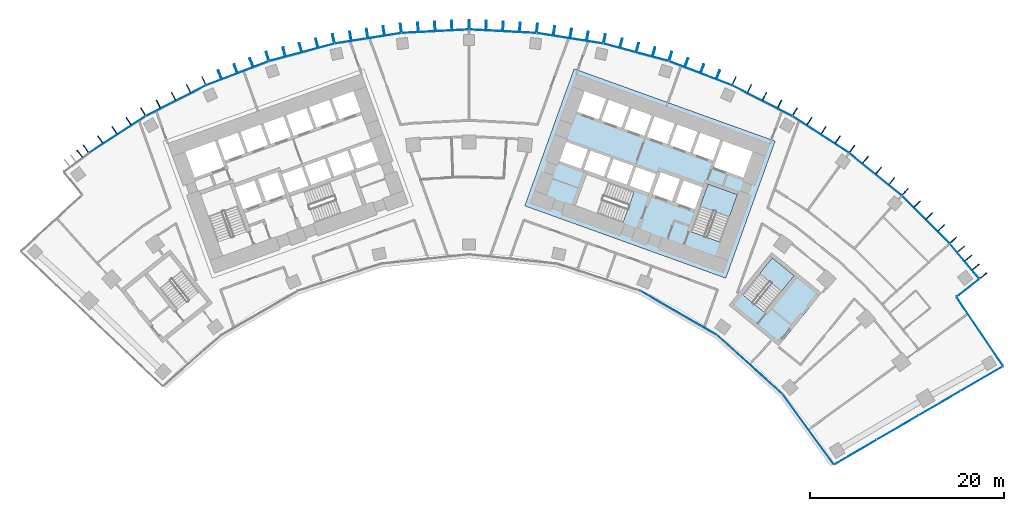
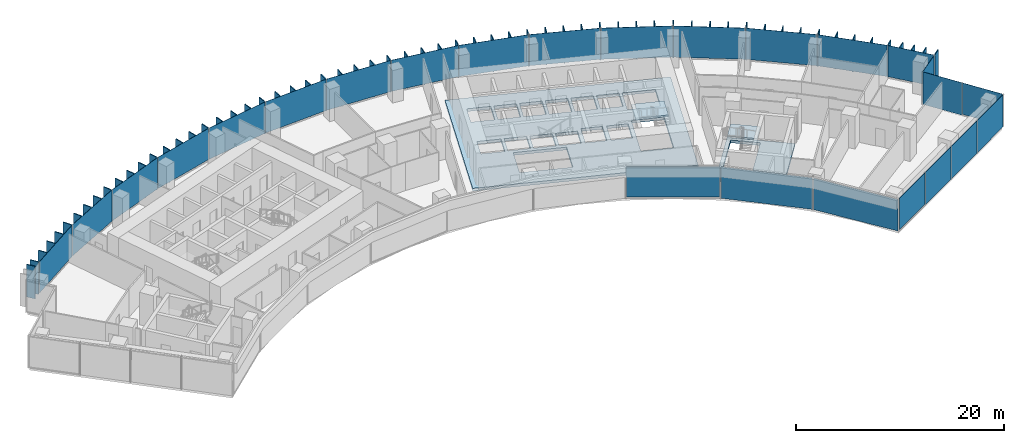
# One storey, part 14 of 22: 87 plates, 4 slabs, 7 elements without a shape of their own.
"""IFC4 building model written with IfcOpenShell, lengths in metres."""

from ifc_helpers import new_model, si_unit, direction, frame, origin, origin_2d, place, context, subcontext, project, spatial, polyline, rectangle, outline, extrude, material, layer, layer_set, type_object, element, aggregate, save


model = new_model("IFC4")

# Units and contexts
model_context = context("Model", 3, precision=1e-05, world=origin(), true_north=direction((0.0, 1.0)))
body_context = subcontext(model_context, "Body", "Model", "MODEL_VIEW")
ifc_project = project(units=[si_unit("LENGTHUNIT", "METRE"), si_unit("AREAUNIT", "SQUARE_METRE"), si_unit("VOLUMEUNIT", "CUBIC_METRE"), si_unit("PLANEANGLEUNIT", "RADIAN"), si_unit("MASSUNIT", "GRAM", prefix="KILO")], contexts=[model_context])

# Site, building, storey
site_placement = place(None, origin())
site = spatial("IfcSite", under=ifc_project, at=site_placement, CompositionType="ELEMENT")
building_placement = place(site_placement, origin())
building = spatial("IfcBuilding", under=site, at=building_placement, Name="Stone Belt Terrace Tower", CompositionType="ELEMENT")
storey_placement = place(building_placement, frame((0.0, 0.0, 132.60009765625)))
storey = spatial("IfcBuildingStorey", under=building, at=storey_placement, Name="L32", CompositionType="ELEMENT", Elevation=132.60009765625)

# Curtain wall, plates
ifc_material_1 = material(Name="Aluminium 6063-T6 anodised frame", Category="aluminium")
ifc_layer_1 = layer(ifc_material_1, 0.14990234375)
ifc_layer_set_1 = layer_set([ifc_layer_1], Name="CW-A unitised convex-face curtain wall")
curtain_wall_type_1 = type_object("IfcCurtainWallType", Name="CW-A unitised convex-face curtain wall", PredefinedType="NOTDEFINED", material=ifc_layer_set_1)
curtain_wall_1_placement = place(storey_placement, origin())
curtain_wall_1 = element("IfcCurtainWall", 1, at=curtain_wall_1_placement, inside=storey, type_object=curtain_wall_type_1, Name="CW-A convex face L32", PredefinedType="NOTDEFINED")
ifc_material_2 = material(Name="Clear double glazed unit")
ifc_layer_2 = layer(ifc_material_2, 0.031982421875)
ifc_layer_set_2 = layer_set([ifc_layer_2], Name="CW-A glass panel 32")
plate_type_1 = type_object("IfcPlateType", Name="CW-A glass panel 32", PredefinedType="CURTAIN_PANEL", material=ifc_layer_set_2)
plate_1_placement = place(storey_placement, frame((50.993896484375, 42.73583984375, 0.14013671875), z_axis=(0.0, 0.0, 1.0), x_axis=(-0.642509184121, 0.766277983711, 0.0)))
plate_1 = element("IfcPlate", 2, at=plate_1_placement, type_object=plate_type_1, Name="CW-A panel 1.1", PredefinedType="CURTAIN_PANEL", context=body_context, shape_type="SweptSolid", body=[
    extrude(rectangle(XDim=4.662841796875, YDim=0.031982421875, at=origin_2d()), origin(), (0.0, 0.0, 1.0), 3.659912109375),
])
plate_2_placement = place(storey_placement, frame((47.01123046875, 47.01123046875, 0.14013671875), z_axis=(0.0, 0.0, 1.0), x_axis=(-0.707106781187, 0.707106781187, 0.0)))
plate_2 = element("IfcPlate", 3, at=plate_2_placement, type_object=plate_type_1, Name="CW-A panel 2.1", PredefinedType="CURTAIN_PANEL", context=body_context, shape_type="SweptSolid", body=[
    extrude(rectangle(XDim=6.90087890625, YDim=0.031982421875, at=origin_2d()), origin(), (0.0, 0.0, 1.0), 3.659912109375),
])
plate_3_placement = place(storey_placement, frame((41.839599609375, 51.667724609375, 0.14013671875), z_axis=(0.0, 0.0, 1.0), x_axis=(-0.777145961457, 0.62932039105, 0.0)))
plate_3 = element("IfcPlate", 4, at=plate_3_placement, type_object=plate_type_1, Name="CW-A panel 3.1", PredefinedType="CURTAIN_PANEL", context=body_context, shape_type="SweptSolid", body=[
    extrude(rectangle(XDim=6.90087890625, YDim=0.031982421875, at=origin_2d()), origin(), (0.0, 0.0, 1.0), 3.659912109375),
])
plate_4_placement = place(storey_placement, frame((36.209716796875, 55.758056640625, 0.14013671875), z_axis=(0.0, 0.0, 1.0), x_axis=(-0.838670567945, 0.544639035015, 0.0)))
plate_4 = element("IfcPlate", 5, at=plate_4_placement, type_object=plate_type_1, Name="CW-A panel 4.1", PredefinedType="CURTAIN_PANEL", context=body_context, shape_type="SweptSolid", body=[
    extrude(rectangle(XDim=6.90087890625, YDim=0.031982421875, at=origin_2d()), origin(), (0.0, 0.0, 1.0), 3.659912109375),
])
plate_5_placement = place(storey_placement, frame((30.18310546875, 59.237548828125, 0.14013671875), z_axis=(0.0, 0.0, 1.0), x_axis=(-0.891006524188, 0.45399049974, 0.0)))
plate_5 = element("IfcPlate", 6, at=plate_5_placement, type_object=plate_type_1, Name="CW-A panel 5.1", PredefinedType="CURTAIN_PANEL", context=body_context, shape_type="SweptSolid", body=[
    extrude(rectangle(XDim=6.90087890625, YDim=0.031982421875, at=origin_2d()), origin(), (0.0, 0.0, 1.0), 3.659912109375),
])
plate_6_placement = place(storey_placement, frame((23.82568359375, 62.068115234375, 0.14013671875), z_axis=(0.0, 0.0, 1.0), x_axis=(-0.933580426497, 0.358367949545, 0.0)))
plate_6 = element("IfcPlate", 7, at=plate_6_placement, type_object=plate_type_1, Name="CW-A panel 6.1", PredefinedType="CURTAIN_PANEL", context=body_context, shape_type="SweptSolid", body=[
    extrude(rectangle(XDim=6.90087890625, YDim=0.031982421875, at=origin_2d()), origin(), (0.0, 0.0, 1.0), 3.659912109375),
])
plate_7_placement = place(storey_placement, frame((17.207275390625, 64.218505859375, 0.14013671875), z_axis=(0.0, 0.0, 1.0), x_axis=(-0.965925826289, 0.258819045103, 0.0)))
plate_7 = element("IfcPlate", 8, at=plate_7_placement, type_object=plate_type_1, Name="CW-A panel 7.1", PredefinedType="CURTAIN_PANEL", context=body_context, shape_type="SweptSolid", body=[
    extrude(rectangle(XDim=6.90087890625, YDim=0.031982421875, at=origin_2d()), origin(), (0.0, 0.0, 1.0), 3.659912109375),
])
plate_8_placement = place(storey_placement, frame((10.400390625, 65.665283203125, 0.14013671875), z_axis=(0.0, 0.0, 1.0), x_axis=(-0.987688340595, 0.15643446504, 0.0)))
plate_8 = element("IfcPlate", 9, at=plate_8_placement, type_object=plate_type_1, Name="CW-A panel 8.1", PredefinedType="CURTAIN_PANEL", context=body_context, shape_type="SweptSolid", body=[
    extrude(rectangle(XDim=6.90087890625, YDim=0.031982421875, at=origin_2d()), origin(), (0.0, 0.0, 1.0), 3.659912109375),
])
plate_9_placement = place(storey_placement, frame((3.4794921875, 66.392822265625, 0.14013671875), z_axis=(0.0, 0.0, 1.0), x_axis=(-0.998629534755, 0.052335956243, 0.0)))
plate_9 = element("IfcPlate", 10, at=plate_9_placement, type_object=plate_type_1, Name="CW-A panel 9.1", PredefinedType="CURTAIN_PANEL", context=body_context, shape_type="SweptSolid", body=[
    extrude(rectangle(XDim=6.90087890625, YDim=0.031982421875, at=origin_2d()), origin(), (0.0, 0.0, 1.0), 3.659912109375),
])
plate_10_placement = place(storey_placement, frame((-3.4794921875, 66.392822265625, 0.14013671875), z_axis=(0.0, 0.0, 1.0), x_axis=(-0.998629534755, -0.052335956243, 0.0)))
plate_10 = element("IfcPlate", 11, at=plate_10_placement, type_object=plate_type_1, Name="CW-A panel 10.1", PredefinedType="CURTAIN_PANEL", context=body_context, shape_type="SweptSolid", body=[
    extrude(rectangle(XDim=6.90087890625, YDim=0.031982421875, at=origin_2d()), origin(), (0.0, 0.0, 1.0), 3.659912109375),
])
plate_11_placement = place(storey_placement, frame((-10.400390625, 65.665283203125, 0.14013671875), z_axis=(0.0, 0.0, 1.0), x_axis=(-0.987688340595, -0.15643446504, 0.0)))
plate_11 = element("IfcPlate", 12, at=plate_11_placement, type_object=plate_type_1, Name="CW-A panel 11.1", PredefinedType="CURTAIN_PANEL", context=body_context, shape_type="SweptSolid", body=[
    extrude(rectangle(XDim=6.90087890625, YDim=0.031982421875, at=origin_2d()), origin(), (0.0, 0.0, 1.0), 3.659912109375),
])
plate_12_placement = place(storey_placement, frame((-17.207275390625, 64.218505859375, 0.14013671875), z_axis=(0.0, 0.0, 1.0), x_axis=(-0.965925826289, -0.258819045103, 0.0)))
plate_12 = element("IfcPlate", 13, at=plate_12_placement, type_object=plate_type_1, Name="CW-A panel 12.1", PredefinedType="CURTAIN_PANEL", context=body_context, shape_type="SweptSolid", body=[
    extrude(rectangle(XDim=6.90087890625, YDim=0.031982421875, at=origin_2d()), origin(), (0.0, 0.0, 1.0), 3.659912109375),
])
plate_13_placement = place(storey_placement, frame((-23.82568359375, 62.068115234375, 0.14013671875), z_axis=(0.0, 0.0, 1.0), x_axis=(-0.933580426497, -0.358367949545, 0.0)))
plate_13 = element("IfcPlate", 14, at=plate_13_placement, type_object=plate_type_1, Name="CW-A panel 13.1", PredefinedType="CURTAIN_PANEL", context=body_context, shape_type="SweptSolid", body=[
    extrude(rectangle(XDim=6.90087890625, YDim=0.031982421875, at=origin_2d()), origin(), (0.0, 0.0, 1.0), 3.659912109375),
])
plate_14_placement = place(storey_placement, frame((-30.18310546875, 59.237548828125, 0.14013671875), z_axis=(0.0, 0.0, 1.0), x_axis=(-0.891006524188, -0.45399049974, 0.0)))
plate_14 = element("IfcPlate", 15, at=plate_14_placement, type_object=plate_type_1, Name="CW-A panel 14.1", PredefinedType="CURTAIN_PANEL", context=body_context, shape_type="SweptSolid", body=[
    extrude(rectangle(XDim=6.90087890625, YDim=0.031982421875, at=origin_2d()), origin(), (0.0, 0.0, 1.0), 3.659912109375),
])
plate_15_placement = place(storey_placement, frame((-36.209716796875, 55.758056640625, 0.14013671875), z_axis=(0.0, 0.0, 1.0), x_axis=(-0.838670567945, -0.544639035015, 0.0)))
plate_15 = element("IfcPlate", 16, at=plate_15_placement, type_object=plate_type_1, Name="CW-A panel 15.1", PredefinedType="CURTAIN_PANEL", context=body_context, shape_type="SweptSolid", body=[
    extrude(rectangle(XDim=6.900634765625, YDim=0.031982421875, at=origin_2d()), origin(), (0.0, 0.0, 1.0), 3.659912109375),
])
aggregate(curtain_wall_1, [plate_1, plate_2, plate_3, plate_4, plate_5, plate_6, plate_7, plate_8, plate_9, plate_10, plate_11, plate_12, plate_13, plate_14, plate_15])

ifc_layer_3 = layer(ifc_material_1, 0.14990234375)
ifc_layer_set_3 = layer_set([ifc_layer_3], Name="CW-B unitised concave-face curtain wall")
curtain_wall_type_2 = type_object("IfcCurtainWallType", Name="CW-B unitised concave-face curtain wall", PredefinedType="NOTDEFINED", material=ifc_layer_set_3)
curtain_wall_2_placement = place(storey_placement, origin())
curtain_wall_2 = element("IfcCurtainWall", 17, at=curtain_wall_2_placement, inside=storey, type_object=curtain_wall_type_2, Name="CW-B concave face L32", PredefinedType="NOTDEFINED")
ifc_layer_4 = layer(ifc_material_2, 0.030029296875)
ifc_layer_set_4 = layer_set([ifc_layer_4], Name="CW-B glass panel 30")
plate_type_2 = type_object("IfcPlateType", Name="CW-B glass panel 30", PredefinedType="CURTAIN_PANEL", material=ifc_layer_set_4)
plate_16_placement = place(storey_placement, frame((21.59326171875, 37.40087890625, 0.119873046875), z_axis=(0.0, 0.0, 1.0), x_axis=(0.866025403784, -0.5, 0.0)))
plate_16 = element("IfcPlate", 18, at=plate_16_placement, type_object=plate_type_2, Name="CW-B panel 7.1", PredefinedType="CURTAIN_PANEL", context=body_context, shape_type="SweptSolid", body=[
    extrude(rectangle(XDim=9.0126953125, YDim=0.030029296875, at=origin_2d()), origin(), (0.0, 0.0, 1.0), 3.56005859375),
])
plate_17_placement = place(storey_placement, frame((28.897705078125, 32.093994140625, 0.0), z_axis=(0.0, 0.0, 1.0), x_axis=(0.743144825477, -0.669130606359, 0.0)))
plate_17 = element("IfcPlate", 19, at=plate_17_placement, type_object=plate_type_2, Name="CW-B panel 8.1", PredefinedType="CURTAIN_PANEL", context=body_context, shape_type="SweptSolid", body=[
    extrude(rectangle(XDim=9.012939453125, YDim=0.030029296875, at=origin_2d()), origin(), (0.0, 0.0, 1.0), 3.679931640625),
])
plate_18_placement = place(storey_placement, frame((34.91162109375, 25.435546875, 0.0), z_axis=(0.0, 0.0, 1.0), x_axis=(0.589224850374, -0.80796910566, 0.0)))
plate_18 = element("IfcPlate", 20, at=plate_18_placement, type_object=plate_type_2, Name="CW-B panel 9.1", PredefinedType="CURTAIN_PANEL", context=body_context, shape_type="SweptSolid", body=[
    extrude(rectangle(XDim=8.898193359375, YDim=0.030029296875, at=origin_2d()), origin(), (0.0, 0.0, 1.0), 3.679931640625),
])
aggregate(curtain_wall_2, [plate_16, plate_17, plate_18])

ifc_layer_5 = layer(ifc_material_1, 0.14990234375)
ifc_layer_set_5 = layer_set([ifc_layer_5], Name="CW-C stick curtain wall, horn ends and notches")
curtain_wall_type_3 = type_object("IfcCurtainWallType", Name="CW-C stick curtain wall, horn ends and notches", PredefinedType="NOTDEFINED", material=ifc_layer_set_5)
curtain_wall_3_placement = place(storey_placement, origin())
curtain_wall_3 = element("IfcCurtainWall", 21, at=curtain_wall_3_placement, inside=storey, type_object=curtain_wall_type_3, Name="CW-C end face L32", PredefinedType="NOTDEFINED")
ifc_layer_6 = layer(ifc_material_2, 0.028076171875)
ifc_layer_set_6 = layer_set([ifc_layer_6], Name="CW-C glass panel 28")
plate_type_3 = type_object("IfcPlateType", Name="CW-C glass panel 28", PredefinedType="CURTAIN_PANEL", material=ifc_layer_set_6)
plate_19_placement = place(storey_placement, frame((39.781982421875, 23.070556640625, 0.1201171875), z_axis=(0.0, 0.0, 1.0), x_axis=(0.864239322284, 0.503080901861, 0.0)))
plate_19 = element("IfcPlate", 22, at=plate_19_placement, type_object=plate_type_3, Name="CW-C panel 1.1", PredefinedType="CURTAIN_PANEL", context=body_context, shape_type="SweptSolid", body=[
    extrude(rectangle(XDim=4.965087890625, YDim=0.028076171875, at=origin_2d()), origin(), (0.0, 0.0, 1.0), 3.679931640625),
])
plate_20_placement = place(storey_placement, frame((44.114013671875, 25.59228515625, 0.0), z_axis=(0.0, 0.0, 1.0), x_axis=(0.864239322284, 0.503080901861, 0.0)))
plate_20 = element("IfcPlate", 23, at=plate_20_placement, type_object=plate_type_3, Name="CW-C panel 2.1", PredefinedType="CURTAIN_PANEL", context=body_context, shape_type="SweptSolid", body=[
    extrude(rectangle(XDim=4.93994140625, YDim=0.028076171875, at=origin_2d()), origin(), (0.0, 0.0, 1.0), 3.800048828125),
])
plate_21_placement = place(storey_placement, frame((48.43505859375, 28.107666015625, 0.0), z_axis=(0.0, 0.0, 1.0), x_axis=(0.864239322284, 0.503080901861, 0.0)))
plate_21 = element("IfcPlate", 24, at=plate_21_placement, type_object=plate_type_3, Name="CW-C panel 3.1", PredefinedType="CURTAIN_PANEL", context=body_context, shape_type="SweptSolid", body=[
    extrude(rectangle(XDim=4.93994140625, YDim=0.028076171875, at=origin_2d()), origin(), (0.0, 0.0, 1.0), 3.800048828125),
])
plate_22_placement = place(storey_placement, frame((52.771484375, 30.6318359375, 0.0), z_axis=(0.0, 0.0, 1.0), x_axis=(0.864239322284, 0.503080901861, 0.0)))
plate_22 = element("IfcPlate", 25, at=plate_22_placement, type_object=plate_type_3, Name="CW-C panel 4.1", PredefinedType="CURTAIN_PANEL", context=body_context, shape_type="SweptSolid", body=[
    extrude(rectangle(XDim=4.974853515625, YDim=0.028076171875, at=origin_2d()), origin(), (0.0, 0.0, 1.0), 3.800048828125),
])
aggregate(curtain_wall_3, [plate_19, plate_20, plate_21, plate_22])

curtain_wall_4_placement = place(storey_placement, origin())
curtain_wall_4 = element("IfcCurtainWall", 26, at=curtain_wall_4_placement, inside=storey, type_object=curtain_wall_type_3, Name="CW-C notch face L32", PredefinedType="NOTDEFINED")
plate_23_placement = place(storey_placement, frame((53.748046875, 33.751220703125, 0.1201171875), z_axis=(0.0, 0.0, 1.0), x_axis=(-0.560367245622, 0.828244257471, 0.0)))
plate_23 = element("IfcPlate", 27, at=plate_23_placement, type_object=plate_type_3, Name="CW-C panel 1.1", PredefinedType="CURTAIN_PANEL", context=body_context, shape_type="SweptSolid", body=[
    extrude(rectangle(XDim=4.268798828125, YDim=0.028076171875, at=origin_2d()), origin(), (0.0, 0.0, 1.0), 3.679931640625),
])
plate_24_placement = place(storey_placement, frame((51.364013671875, 37.275146484375, 0.0), z_axis=(0.0, 0.0, 1.0), x_axis=(-0.560367245622, 0.828244257471, 0.0)))
plate_24 = element("IfcPlate", 28, at=plate_24_placement, type_object=plate_type_3, Name="CW-C panel 2.1", PredefinedType="CURTAIN_PANEL", context=body_context, shape_type="SweptSolid", body=[
    extrude(rectangle(XDim=4.12060546875, YDim=0.028076171875, at=origin_2d()), origin(), (0.0, 0.0, 1.0), 3.800048828125),
])
aggregate(curtain_wall_4, [plate_23, plate_24])

# Curtain wall, plate
curtain_wall_5_placement = place(storey_placement, origin())
curtain_wall_5 = element("IfcCurtainWall", 29, at=curtain_wall_5_placement, inside=storey, type_object=curtain_wall_type_3, Name="CW-C notch face L32", PredefinedType="NOTDEFINED")
plate_25_placement = place(storey_placement, frame((51.353515625, 39.966552734375, 0.1201171875), z_axis=(0.0, 0.0, 1.0), x_axis=(0.788458012337, 0.615088581248, 0.0)))
plate_25 = element("IfcPlate", 30, at=plate_25_placement, type_object=plate_type_3, Name="CW-C panel 1.1", PredefinedType="CURTAIN_PANEL", context=body_context, shape_type="SweptSolid", body=[
    extrude(rectangle(XDim=2.859619140625, YDim=0.028076171875, at=origin_2d()), origin(), (0.0, 0.0, 1.0), 3.679931640625),
])
aggregate(curtain_wall_5, [plate_25])

# Slabs
ifc_material_3 = material(Name="Concrete B40", Category="concrete")
ifc_layer_7 = layer(ifc_material_3, 0.320068359375)
ifc_layer_set_7 = layer_set([ifc_layer_7], Name="Core floor slab 320")
slab_type_1 = type_object("IfcSlabType", Name="Core floor slab 320", PredefinedType="FLOOR", material=ifc_layer_set_7)
slab_1_placement = place(storey_placement, frame((0.0, 0.0, -0.320068359375)))
element("IfcSlab", 31, at=slab_1_placement, inside=storey, type_object=slab_type_1, Name="Core B floor L32", PredefinedType="FLOOR", context=body_context, shape_type="SweptSolid", body=[
    extrude(outline(polyline([(26.43505859375, 40.968994140625), (31.513916015625, 55.0830078125), (10.81396484375, 62.531982421875), (5.735107421875, 48.4189453125), (26.43505859375, 40.968994140625)]), holes=[polyline([(12.10595703125, 51.652099609375), (16.998046875, 49.89208984375), (15.846923828125, 46.69189453125), (10.955078125, 48.452880859375), (12.10595703125, 51.652099609375)]), polyline([(19.239990234375, 51.68896484375), (18.5458984375, 49.760009765625), (16.52294921875, 50.488037109375), (17.217041015625, 52.4169921875), (19.239990234375, 51.68896484375)]), polyline([(16.239990234375, 50.589111328125), (14.169921875, 51.333984375), (14.864013671875, 53.262939453125), (16.93408203125, 52.51806640625), (16.239990234375, 50.589111328125)]), polyline([(14.58203125, 53.364990234375), (13.887939453125, 51.43603515625), (11.864990234375, 52.1640625), (11.847900390625, 52.116943359375), (11.801025390625, 52.134033203125), (12.511962890625, 54.110107421875), (14.58203125, 53.364990234375)]), polyline([(9.30810546875, 53.031005859375), (10.01904296875, 55.007080078125), (12.22998046875, 54.2109375), (11.51904296875, 52.235107421875), (9.30810546875, 53.031005859375)]), polyline([(16.743896484375, 58.485107421875), (18.81396484375, 57.739990234375), (18.052001953125, 55.623046875), (15.98193359375, 56.367919921875), (16.743896484375, 58.485107421875)]), polyline([(14.39111328125, 59.33203125), (16.4609375, 58.5869140625), (15.699951171875, 56.469970703125), (13.6298828125, 57.215087890625), (14.39111328125, 59.33203125)]), polyline([(11.89794921875, 60.22900390625), (14.10888671875, 59.43408203125), (13.346923828125, 57.31591796875), (11.135986328125, 58.112060546875), (11.89794921875, 60.22900390625)]), polyline([(25.85888671875, 44.68408203125), (22.847900390625, 45.76806640625), (24.60791015625, 50.659912109375), (27.618896484375, 49.575927734375), (25.85888671875, 44.68408203125)]), polyline([(21.27392578125, 48.778076171875), (22.0869140625, 51.035888671875), (24.06298828125, 50.324951171875), (23.25, 48.06689453125), (21.27392578125, 48.778076171875)]), polyline([(18.922119140625, 49.6240234375), (19.735107421875, 51.883056640625), (21.7109375, 51.1708984375), (20.89794921875, 48.9130859375), (18.922119140625, 49.6240234375)]), polyline([(29.2109375, 53.9990234375), (28.24609375, 51.31689453125), (25.18798828125, 52.41796875), (26.153076171875, 55.09912109375), (29.2109375, 53.9990234375)]), polyline([(23.801025390625, 55.946044921875), (25.87109375, 55.200927734375), (25.10888671875, 53.083984375), (23.0390625, 53.8291015625), (23.801025390625, 55.946044921875)]), polyline([(21.447998046875, 56.7919921875), (23.51806640625, 56.047119140625), (22.756103515625, 53.929931640625), (20.68603515625, 54.675048828125), (21.447998046875, 56.7919921875)]), polyline([(19.095947265625, 57.638916015625), (21.166015625, 56.89404296875), (20.404052734375, 54.777099609375), (18.333984375, 55.52197265625), (19.095947265625, 57.638916015625)])]), origin(), (0.0, 0.0, 1.0), 0.320068359375),
])
slab_2_placement = place(storey_placement, frame((0.0, 0.0, -0.320068359375)))
element("IfcSlab", 32, at=slab_2_placement, inside=storey, type_object=slab_type_1, Name="Exit stair ST3B floor L32", PredefinedType="FLOOR", context=body_context, shape_type="SweptSolid", body=[
    extrude(outline(polyline([(26.741943359375, 38.18408203125), (31.866943359375, 34.02392578125), (36.278076171875, 39.458984375), (31.154052734375, 43.618896484375), (26.741943359375, 38.18408203125)]), holes=[polyline([(30.407958984375, 37.462890625), (28.156005859375, 39.291015625), (31.2119140625, 43.055908203125), (33.464111328125, 41.22802734375), (30.407958984375, 37.462890625)])]), origin(), (0.0, 0.0, 1.0), 0.320068359375),
])

# Stair, slab
stair_type = type_object("IfcStairType", Name="Exit stair 1500", PredefinedType="HALF_TURN_STAIR", material=ifc_material_3)
stair_1_placement = place(storey_placement, origin())
stair_1 = element("IfcStair", 33, at=stair_1_placement, inside=storey, type_object=stair_type, Name="L32 Exit stair 1 core B", PredefinedType="HALF_TURN_STAIR")
ifc_layer_8 = layer(ifc_material_3, 0.199951171875)
ifc_layer_set_8 = layer_set([ifc_layer_8], Name="Stair landing 200")
slab_type_2 = type_object("IfcSlabType", Name="Stair landing 200", PredefinedType="LANDING", material=ifc_layer_set_8)
slab_3_placement = place(storey_placement, frame((0.0, 0.0, 1.699951171875)))
slab_3 = element("IfcSlab", 34, at=slab_3_placement, type_object=slab_type_2, Name="ST1B landing 1", PredefinedType="LANDING", context=body_context, shape_type="SweptSolid", body=[
    extrude(outline(polyline([(26.806396484375, 47.3173828125), (27.619384765625, 49.576171875), (24.6083984375, 50.659912109375), (23.79541015625, 48.40087890625), (26.806396484375, 47.3173828125)])), origin(), (0.0, 0.0, 1.0), 0.199951171875),
])
aggregate(stair_1, [slab_3])

stair_2_placement = place(storey_placement, origin())
stair_2 = element("IfcStair", 35, at=stair_2_placement, inside=storey, type_object=stair_type, Name="L32 Exit stair 3B", PredefinedType="HALF_TURN_STAIR")
slab_4_placement = place(storey_placement, frame((0.0, 0.0, 1.699951171875)))
slab_4 = element("IfcSlab", 36, at=slab_4_placement, type_object=slab_type_2, Name="ST3B landing 1", PredefinedType="LANDING", context=body_context, shape_type="SweptSolid", body=[
    extrude(outline(polyline([(32.17138671875, 39.635986328125), (33.4638671875, 41.228271484375), (31.21240234375, 43.055908203125), (29.919921875, 41.463623046875), (32.17138671875, 39.635986328125)])), origin(), (0.0, 0.0, 1.0), 0.199951171875),
])
aggregate(stair_2, [slab_4])

# Plates
ifc_material_4 = material(Name="Terracotta coloured glazed ceramic", Category="masonry")
ifc_layer_9 = layer(ifc_material_4, 0.10009765625)
ifc_layer_set_9 = layer_set([ifc_layer_9], Name="Terracotta fin 100 x 900")
plate_type_4 = type_object("IfcPlateType", Name="Terracotta fin 100 x 900", PredefinedType="SHEET", material=ifc_layer_set_9)
for number, where, z_axis, x_axis, name in (
    (37, (52.942138671875, 41.229248046875, 0.0), (0.0, 0.0, 1.0), (0.766277983711, 0.642509184121, 0.0), "FIN L32 1.1"),
    (38, (52.17578125, 42.143310546875, 0.0), (0.0, 0.0, 1.0), (0.766277983711, 0.642509184121, 0.0), "FIN L32 1.2"),
    (39, (51.409423828125, 43.057373046875, 0.0), (0.0, 0.0, 1.0), (0.766277983711, 0.642509184121, 0.0), "FIN L32 1.3"),
    (40, (50.64306640625, 43.97119140625, 0.0), (0.0, 0.0, 1.0), (0.766277983711, 0.642509184121, 0.0), "FIN L32 1.4"),
    (41, (49.861572265625, 44.902587890625, 0.0), (0.0, 0.0, 1.0), (0.737400080522, 0.675456231925, 0.0), "FIN L32 2.1"),
    (42, (48.614013671875, 46.15087890625, 0.0), (0.0, 0.0, 1.0), (0.707106781187, 0.707106781187, 0.0), "FIN L32 2.2"),
    (43, (47.382080078125, 47.382568359375, 0.0), (0.0, 0.0, 1.0), (0.707106781187, 0.707106781187, 0.0), "FIN L32 2.3"),
    (44, (46.150390625, 48.614501953125, 0.0), (0.0, 0.0, 1.0), (0.707106781187, 0.707106781187, 0.0), "FIN L32 2.4"),
    (45, (44.898681640625, 49.864990234375, 0.0), (0.0, 0.0, 1.0), (0.669130606359, 0.743144825477, 0.0), "FIN L32 3.1"),
    (46, (43.52392578125, 50.979248046875, 0.0), (0.0, 0.0, 1.0), (0.62932039105, 0.777145961457, 0.0), "FIN L32 3.2"),
    (47, (42.170166015625, 52.07568359375, 0.0), (0.0, 0.0, 1.0), (0.62932039105, 0.777145961457, 0.0), "FIN L32 3.3"),
    (48, (40.816162109375, 53.172119140625, 0.0), (0.0, 0.0, 1.0), (0.62932039105, 0.777145961457, 0.0), "FIN L32 3.4"),
    (49, (39.4404296875, 54.28515625, 0.0), (0.0, 0.0, 1.0), (0.587785252292, 0.809016994375, 0.0), "FIN L32 4.1"),
    (50, (37.956787109375, 55.24951171875, 0.0), (0.0, 0.0, 1.0), (0.544639035015, 0.838670567945, 0.0), "FIN L32 4.2"),
    (51, (36.49560546875, 56.1982421875, 0.0), (0.0, 0.0, 1.0), (0.544639035015, 0.838670567945, 0.0), "FIN L32 4.3"),
    (52, (35.03466796875, 57.147216796875, 0.0), (0.0, 0.0, 1.0), (0.544639035015, 0.838670567945, 0.0), "FIN L32 4.4"),
    (53, (33.550048828125, 58.1103515625, 0.0), (0.0, 0.0, 1.0), (0.5, 0.866025403784, 0.0), "FIN L32 5.1"),
    (54, (31.9736328125, 58.914306640625, 0.0), (0.0, 0.0, 1.0), (0.45399049974, 0.891006524188, 0.0), "FIN L32 5.2"),
    (55, (30.42138671875, 59.705322265625, 0.0), (0.0, 0.0, 1.0), (0.45399049974, 0.891006524188, 0.0), "FIN L32 5.3"),
    (56, (28.869140625, 60.496337890625, 0.0), (0.0, 0.0, 1.0), (0.45399049974, 0.891006524188, 0.0), "FIN L32 5.4"),
    (57, (27.2919921875, 61.299072265625, 0.0), (0.0, 0.0, 1.0), (0.406736643076, 0.913545457643, 0.0), "FIN L32 6.1"),
    (58, (25.64013671875, 61.933837890625, 0.0), (0.0, 0.0, 1.0), (0.358367949545, 0.933580426497, 0.0), "FIN L32 6.2"),
    (59, (24.013916015625, 62.55810546875, 0.0), (0.0, 0.0, 1.0), (0.358367949545, 0.933580426497, 0.0), "FIN L32 6.3"),
    (60, (22.387451171875, 63.182373046875, 0.0), (0.0, 0.0, 1.0), (0.358367949545, 0.933580426497, 0.0), "FIN L32 6.4"),
    (61, (20.735107421875, 63.81591796875, 0.0), (0.0, 0.0, 1.0), (0.309016994375, 0.951056516295, 0.0), "FIN L32 7.1"),
    (62, (19.02587890625, 64.274658203125, 0.0), (0.0, 0.0, 1.0), (0.258819045103, 0.965925826289, 0.0), "FIN L32 7.2"),
    (63, (17.34326171875, 64.7255859375, 0.0), (0.0, 0.0, 1.0), (0.258819045103, 0.965925826289, 0.0), "FIN L32 7.3"),
    (64, (15.660400390625, 65.176513671875, 0.0), (0.0, 0.0, 1.0), (0.258819045103, 0.965925826289, 0.0), "FIN L32 7.4"),
    (65, (13.950927734375, 65.6337890625, 0.0), (0.0, 0.0, 1.0), (0.207911690818, 0.978147600734, 0.0), "FIN L32 8.1"),
    (66, (12.203125, 65.911376953125, 0.0), (0.0, 0.0, 1.0), (0.15643446504, 0.987688340595, 0.0), "FIN L32 8.2"),
    (67, (10.482421875, 66.183837890625, 0.0), (0.0, 0.0, 1.0), (0.15643446504, 0.987688340595, 0.0), "FIN L32 8.3"),
    (68, (8.76171875, 66.456298828125, 0.0), (0.0, 0.0, 1.0), (0.15643446504, 0.987688340595, 0.0), "FIN L32 8.4"),
    (69, (7.013916015625, 66.732421875, 0.0), (0.0, 0.0, 1.0), (0.104528463268, 0.994521895368, 0.0), "FIN L32 9.1"),
    (70, (5.246826171875, 66.825927734375, 0.0), (0.0, 0.0, 1.0), (0.052335956243, 0.998629534755, 0.0), "FIN L32 9.2"),
    (71, (3.507080078125, 66.9169921875, 0.0), (0.0, 0.0, 1.0), (0.052335956243, 0.998629534755, 0.0), "FIN L32 9.3"),
    (72, (1.767333984375, 67.00830078125, 0.0), (0.0, 0.0, 1.0), (0.052335956243, 0.998629534755, 0.0), "FIN L32 9.4"),
    (73, (0.0, 67.10009765625, 0.0), (0.0, 0.0, 1.0), (0.0, 1.0, 0.0), "FIN L32 10.1"),
    (74, (-1.767333984375, 67.00830078125, 0.0), (0.0, 0.0, 1.0), (-0.052335956243, 0.998629534755, 0.0), "FIN L32 10.2"),
    (75, (-3.507080078125, 66.9169921875, 0.0), (0.0, 0.0, 1.0), (-0.052335956243, 0.998629534755, 0.0), "FIN L32 10.3"),
    (76, (-5.246826171875, 66.825927734375, 0.0), (0.0, 0.0, 1.0), (-0.052335956243, 0.998629534755, 0.0), "FIN L32 10.4"),
    (77, (-7.013916015625, 66.732421875, 0.0), (0.0, 0.0, 1.0), (-0.104528463268, 0.994521895368, 0.0), "FIN L32 11.1"),
    (78, (-8.76171875, 66.456298828125, 0.0), (0.0, 0.0, 1.0), (-0.15643446504, 0.987688340595, 0.0), "FIN L32 11.2"),
    (79, (-10.482421875, 66.183837890625, 0.0), (0.0, 0.0, 1.0), (-0.15643446504, 0.987688340595, 0.0), "FIN L32 11.3"),
    (80, (-12.203125, 65.911376953125, 0.0), (0.0, 0.0, 1.0), (-0.15643446504, 0.987688340595, 0.0), "FIN L32 11.4"),
    (81, (-13.950927734375, 65.6337890625, 0.0), (0.0, 0.0, 1.0), (-0.207911690818, 0.978147600734, 0.0), "FIN L32 12.1"),
    (82, (-15.660400390625, 65.176513671875, 0.0), (0.0, 0.0, 1.0), (-0.258819045103, 0.965925826289, 0.0), "FIN L32 12.2"),
    (83, (-17.34326171875, 64.7255859375, 0.0), (0.0, 0.0, 1.0), (-0.258819045103, 0.965925826289, 0.0), "FIN L32 12.3"),
    (84, (-19.02587890625, 64.274658203125, 0.0), (0.0, 0.0, 1.0), (-0.258819045103, 0.965925826289, 0.0), "FIN L32 12.4"),
    (85, (-20.735107421875, 63.81591796875, 0.0), (0.0, 0.0, 1.0), (-0.309016994375, 0.951056516295, 0.0), "FIN L32 13.1"),
    (86, (-22.387451171875, 63.182373046875, 0.0), (0.0, 0.0, 1.0), (-0.358367949545, 0.933580426497, 0.0), "FIN L32 13.2"),
    (87, (-24.013916015625, 62.55810546875, 0.0), (0.0, 0.0, 1.0), (-0.358367949545, 0.933580426497, 0.0), "FIN L32 13.3"),
    (88, (-25.64013671875, 61.933837890625, 0.0), (0.0, 0.0, 1.0), (-0.358367949545, 0.933580426497, 0.0), "FIN L32 13.4"),
    (89, (-27.2919921875, 61.299072265625, 0.0), (0.0, 0.0, 1.0), (-0.406736643076, 0.913545457643, 0.0), "FIN L32 14.1"),
    (90, (-28.869140625, 60.496337890625, 0.0), (0.0, 0.0, 1.0), (-0.45399049974, 0.891006524188, 0.0), "FIN L32 14.2"),
    (91, (-30.42138671875, 59.705322265625, 0.0), (0.0, 0.0, 1.0), (-0.45399049974, 0.891006524188, 0.0), "FIN L32 14.3"),
    (92, (-31.9736328125, 58.914306640625, 0.0), (0.0, 0.0, 1.0), (-0.45399049974, 0.891006524188, 0.0), "FIN L32 14.4"),
    (93, (-33.550048828125, 58.1103515625, 0.0), (0.0, 0.0, 1.0), (-0.5, 0.866025403784, 0.0), "FIN L32 15.1"),
    (94, (-35.034423828125, 57.1474609375, 0.0), (0.0, 0.0, 1.0), (-0.544639035015, 0.838670567945, 0.0), "FIN L32 15.2"),
    (95, (-36.4951171875, 56.19873046875, 0.0), (0.0, 0.0, 1.0), (-0.544639035015, 0.838670567945, 0.0), "FIN L32 15.3"),
    (96, (-37.9560546875, 55.25, 0.0), (0.0, 0.0, 1.0), (-0.544639035015, 0.838670567945, 0.0), "FIN L32 15.4"),
    (97, (-39.433349609375, 54.2900390625, 0.0), (0.0, 0.0, 1.0), (-0.576101937282, 0.81737785501, 0.0), "FIN L32 16.1"),
    (98, (-40.089599609375, 53.78955078125, 0.0), (0.0, 0.0, 1.0), (-0.606733355184, 0.794905425637, 0.0), "FIN L32 16.2"),
):
    element("IfcPlate", number, at=place(storey_placement, frame(where, z_axis=z_axis, x_axis=x_axis)), inside=storey, type_object=plate_type_4, Name=name, PredefinedType="SHEET", context=body_context, shape_type="SweptSolid", body=[
        extrude(rectangle(XDim=0.89990234375, YDim=0.10009765625, at=origin_2d()), origin(), (0.0, 0.0, 1.0), 3.800048828125),
    ])

save(model, "model.ifc")
